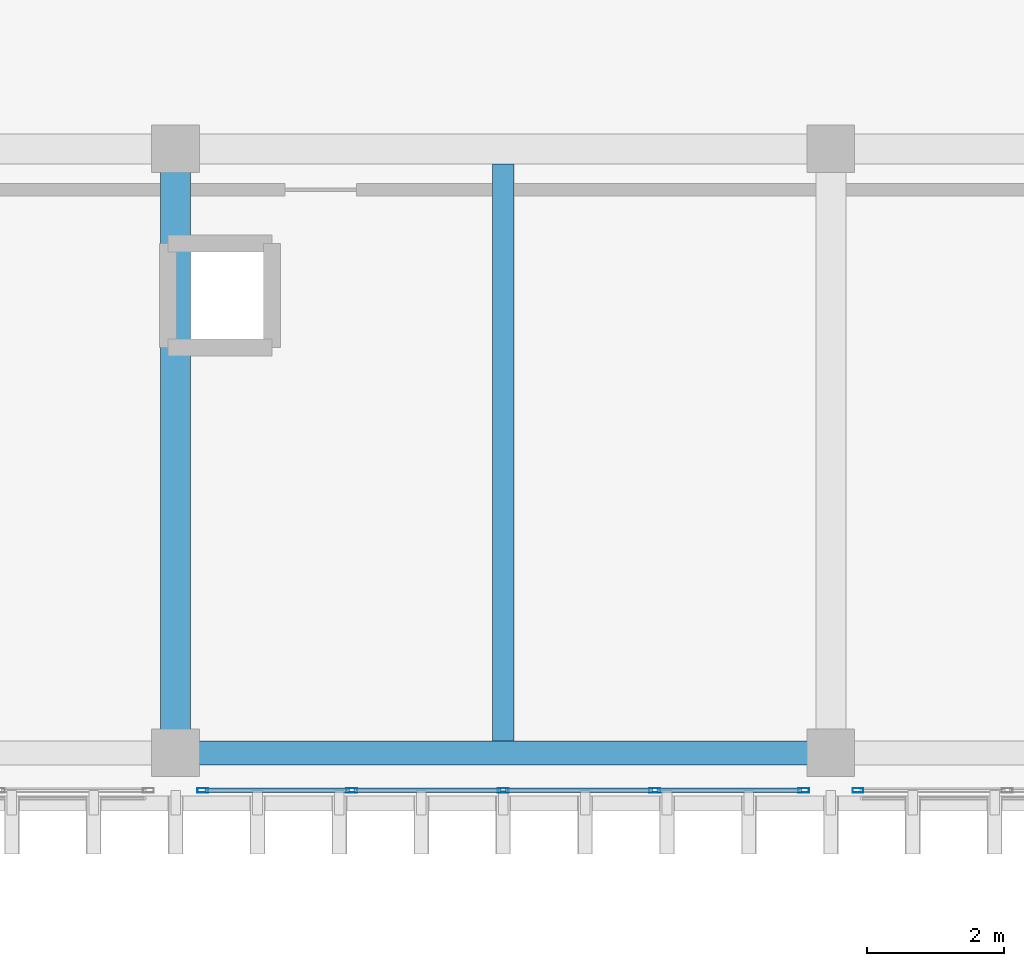
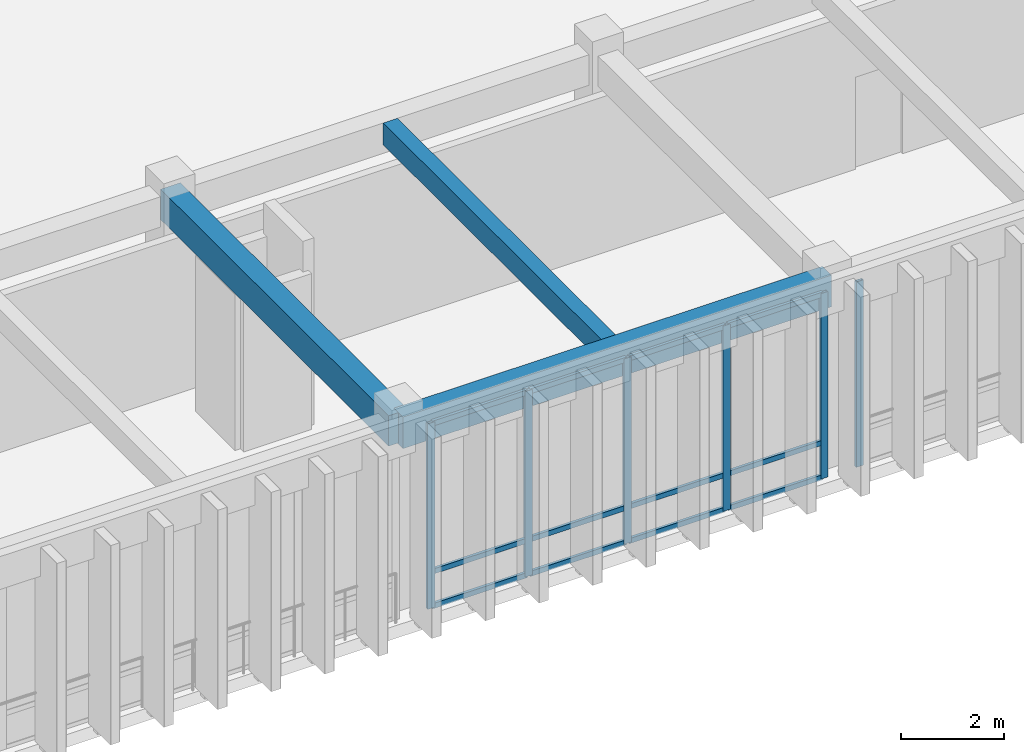
# One storey, part 14 of 133: 18 members, 3 beams, 2 elements without a shape of their own.
"""IFC4 building model written with IfcOpenShell, lengths in metres."""

from ifc_helpers import new_model, si_unit, direction, frame, origin, origin_2d, place, context, subcontext, project, spatial, rectangle, hollow_rectangle, extrude, material, layer, layer_set, material_profile, profile_set, type_object, element, aggregate, save


model = new_model("IFC4")

# Units and contexts
model_context = context("Model", 3, precision=1e-05, world=origin(), true_north=direction((0.0, 1.0)))
body_context = subcontext(model_context, "Body", "Model", "MODEL_VIEW")
ifc_project = project(units=[si_unit("LENGTHUNIT", "METRE"), si_unit("AREAUNIT", "SQUARE_METRE"), si_unit("VOLUMEUNIT", "CUBIC_METRE"), si_unit("PLANEANGLEUNIT", "RADIAN"), si_unit("MASSUNIT", "GRAM", prefix="KILO")], contexts=[model_context])

# Site, building, storey
site_placement = place(None, origin())
site = spatial("IfcSite", under=ifc_project, at=site_placement, CompositionType="ELEMENT")
building_placement = place(site_placement, origin())
building = spatial("IfcBuilding", under=site, at=building_placement, Name="Nakhvara Creek Congress Hotel", CompositionType="ELEMENT")
storey_placement = place(building_placement, frame((0.0, 0.0, 11.39990234375)))
storey = spatial("IfcBuildingStorey", under=building, at=storey_placement, Name="L02", CompositionType="ELEMENT", Elevation=11.39990234375)

# Beams
ifc_material_1 = material(Name="Concrete C40/50", Category="concrete")
ifc_material_profile_1 = material_profile(ifc_material_1, rectangle(XDim=0.320068359375, YDim=0.52001953125, at=origin_2d()), Name="RC-BM 320x520", Category="LoadBearing")
ifc_profile_set_1 = profile_set([ifc_material_profile_1], Name="Concrete C40/50")
beam_type_1 = type_object("IfcBeamType", Name="BM-RC-320X520", PredefinedType="JOIST", material=ifc_profile_set_1)
beam_1_placement = place(storey_placement, frame((100.800048828125, 0.925048828125, 4.16015625), z_axis=(0.0, 1.0, 0.0), x_axis=(-1.0, 0.0, 0.0)))
element("IfcBeam", 1, at=beam_1_placement, inside=storey, type_object=beam_type_1, Name="Secondary Joist BJ2-L02-1676", PredefinedType="JOIST", context=body_context, shape_type="SweptSolid", body=[
    extrude(rectangle(XDim=0.320068359375, YDim=0.52001953125, at=origin_2d()), origin(), (0.0, 0.0, 1.0), 8.454833984375),
])
ifc_material_profile_2 = material_profile(ifc_material_1, rectangle(XDim=0.43994140625, YDim=0.719970703125, at=origin_2d()), Name="RC-BM 440x720", Category="LoadBearing")
ifc_profile_set_2 = profile_set([ifc_material_profile_2], Name="Concrete C40/50")
beam_type_2 = type_object("IfcBeamType", Name="BM-RC-440X720", PredefinedType="BEAM", material=ifc_profile_set_2)
beam_2_placement = place(storey_placement, frame((96.0, 0.75, 4.06005859375), z_axis=(0.0, 1.0, 0.0), x_axis=(-1.0, 0.0, 0.0)))
element("IfcBeam", 2, at=beam_2_placement, inside=storey, type_object=beam_type_2, Name="Beam B12-L02-1479", PredefinedType="BEAM", context=body_context, shape_type="SweptSolid", body=[
    extrude(rectangle(XDim=0.43994140625, YDim=0.719970703125, at=origin_2d()), origin(), (0.0, 0.0, 1.0), 8.85009765625),
])
ifc_material_profile_3 = material_profile(ifc_material_1, rectangle(XDim=0.35009765625, YDim=0.75, at=origin_2d()), Name="RC-SPANDREL 350x750", Category="LoadBearing")
ifc_profile_set_3 = profile_set([ifc_material_profile_3], Name="Concrete C40/50")
beam_type_3 = type_object("IfcBeamType", Name="BM-SPN-350X750", PredefinedType="SPANDREL", material=ifc_profile_set_3)
beam_3_placement = place(storey_placement, frame((96.0, 0.75, 4.045166015625), z_axis=(1.0, 0.0, 0.0), x_axis=(0.0, 1.0, 0.0)))
element("IfcBeam", 3, at=beam_3_placement, inside=storey, type_object=beam_type_3, Name="Beam SP1-L02-1480", PredefinedType="SPANDREL", context=body_context, shape_type="SweptSolid", body=[
    extrude(rectangle(XDim=0.35009765625, YDim=0.75, at=origin_2d()), origin(), (0.0, 0.0, 1.0), 9.60009765625),
])

# Curtain wall, members
ifc_material_2 = material(Name="Bronze-anodised aluminium AW-6063-T6 and double-silver low-E glass", Category="aluminium")
ifc_layer = layer(ifc_material_2, 0.199951171875)
ifc_layer_set = layer_set([ifc_layer], Name="Bronze-anodised aluminium AW-6063-T6 and double-silver low-E glass")
curtain_wall_type = type_object("IfcCurtainWallType", Name="CW-SPA-STICK", PredefinedType="NOTDEFINED", material=ifc_layer_set)
curtain_wall_1_placement = place(storey_placement, origin())
curtain_wall_1 = element("IfcCurtainWall", 4, at=curtain_wall_1_placement, inside=storey, type_object=curtain_wall_type, Name="Curtain Wall CW094", PredefinedType="NOTDEFINED")
ifc_material_3 = material(Name="Bronze-anodised aluminium AW-6063-T6", Category="aluminium")
ifc_material_profile_4 = material_profile(ifc_material_3, hollow_rectangle(XDim=0.06494140625, YDim=0.159912109375, WallThickness=0.00390625, at=origin_2d()), Name="ALU-MULL 65x160x4", Category="LoadBearing")
ifc_profile_set_4 = profile_set([ifc_material_profile_4], Name="Bronze-anodised aluminium AW-6063-T6")
member_type_1 = type_object("IfcMemberType", Name="CW-MULL-160", PredefinedType="MULLION", material=ifc_profile_set_4)
member_1_placement = place(storey_placement, frame((105.202392578125, 0.199951171875, 0.0), z_axis=(0.0, 0.0, 1.0), x_axis=(0.0, -1.0, 0.0)))
member_1 = element("IfcMember", 5, at=member_1_placement, type_object=member_type_1, Name="CW094 mullion 1", PredefinedType="MULLION", context=body_context, shape_type="SweptSolid", body=[
    extrude(hollow_rectangle(XDim=0.06494140625, YDim=0.159912109375, WallThickness=0.00390625, at=origin_2d()), origin(), (0.0, 0.0, 1.0), 4.39013671875),
])
member_2_placement = place(storey_placement, frame((103.017578125, 0.199951171875, 0.0), z_axis=(0.0, 0.0, 1.0), x_axis=(0.0, -1.0, 0.0)))
member_2 = element("IfcMember", 6, at=member_2_placement, type_object=member_type_1, Name="CW094 mullion 2", PredefinedType="MULLION", context=body_context, shape_type="SweptSolid", body=[
    extrude(hollow_rectangle(XDim=0.06494140625, YDim=0.159912109375, WallThickness=0.00390625, at=origin_2d()), origin(), (0.0, 0.0, 1.0), 4.39013671875),
])
member_3_placement = place(storey_placement, frame((100.800048828125, 0.199951171875, 0.0), z_axis=(0.0, 0.0, 1.0), x_axis=(0.0, -1.0, 0.0)))
member_3 = element("IfcMember", 7, at=member_3_placement, type_object=member_type_1, Name="CW094 mullion 3", PredefinedType="MULLION", context=body_context, shape_type="SweptSolid", body=[
    extrude(hollow_rectangle(XDim=0.06494140625, YDim=0.159912109375, WallThickness=0.00390625, at=origin_2d()), origin(), (0.0, 0.0, 1.0), 4.39013671875),
])
member_4_placement = place(storey_placement, frame((98.58251953125, 0.199951171875, 0.0), z_axis=(0.0, 0.0, 1.0), x_axis=(0.0, -1.0, 0.0)))
member_4 = element("IfcMember", 8, at=member_4_placement, type_object=member_type_1, Name="CW094 mullion 4", PredefinedType="MULLION", context=body_context, shape_type="SweptSolid", body=[
    extrude(hollow_rectangle(XDim=0.06494140625, YDim=0.159912109375, WallThickness=0.00390625, at=origin_2d()), origin(), (0.0, 0.0, 1.0), 4.39013671875),
])
member_5_placement = place(storey_placement, frame((96.3974609375, 0.199951171875, 0.0), z_axis=(0.0, 0.0, 1.0), x_axis=(0.0, -1.0, 0.0)))
member_5 = element("IfcMember", 9, at=member_5_placement, type_object=member_type_1, Name="CW094 mullion 5", PredefinedType="MULLION", context=body_context, shape_type="SweptSolid", body=[
    extrude(hollow_rectangle(XDim=0.06494140625, YDim=0.159912109375, WallThickness=0.00390625, at=origin_2d()), origin(), (0.0, 0.0, 1.0), 4.39013671875),
])

# Curtain wall, member
curtain_wall_2_placement = place(storey_placement, origin())
curtain_wall_2 = element("IfcCurtainWall", 10, at=curtain_wall_2_placement, inside=storey, type_object=curtain_wall_type, Name="Curtain Wall CW095", PredefinedType="NOTDEFINED")
member_6_placement = place(storey_placement, frame((105.99755859375, 0.199951171875, 0.0), z_axis=(0.0, 0.0, 1.0), x_axis=(0.0, -1.0, 0.0)))
member_6 = element("IfcMember", 11, at=member_6_placement, type_object=member_type_1, Name="CW095 mullion 5", PredefinedType="MULLION", context=body_context, shape_type="SweptSolid", body=[
    extrude(hollow_rectangle(XDim=0.06494140625, YDim=0.159912109375, WallThickness=0.00390625, at=origin_2d()), origin(), (0.0, 0.0, 1.0), 4.39013671875),
])
aggregate(curtain_wall_2, [member_6])

# Member
ifc_material_profile_5 = material_profile(ifc_material_3, hollow_rectangle(XDim=0.06494140625, YDim=0.1201171875, WallThickness=0.00390625, at=origin_2d()), Name="ALU-TRAN 65x120x4", Category="LoadBearing")
ifc_profile_set_5 = profile_set([ifc_material_profile_5], Name="Bronze-anodised aluminium AW-6063-T6")
member_type_2 = type_object("IfcMemberType", Name="CW-TRAN-120", PredefinedType="USERDEFINED", material=ifc_profile_set_5)
member_7_placement = place(storey_placement, frame((105.169921875, 0.199951171875, 0.03271484375), z_axis=(-1.0, 0.0, 0.0), x_axis=(0.0, -1.0, 0.0)))
member_7 = element("IfcMember", 12, at=member_7_placement, type_object=member_type_2, Name="CW094 transom 1.1", ObjectType="TRANSOM", PredefinedType="USERDEFINED", context=body_context, shape_type="SweptSolid", body=[
    extrude(hollow_rectangle(XDim=0.06494140625, YDim=0.1201171875, WallThickness=0.00390625, at=origin_2d()), origin(), (0.0, 0.0, 1.0), 2.119873046875),
])

member_8_placement = place(storey_placement, frame((105.169921875, 0.199951171875, 0.85009765625), z_axis=(-1.0, 0.0, 0.0), x_axis=(0.0, -1.0, 0.0)))
member_8 = element("IfcMember", 13, at=member_8_placement, type_object=member_type_2, Name="CW094 transom 1.2", ObjectType="TRANSOM", PredefinedType="USERDEFINED", context=body_context, shape_type="SweptSolid", body=[
    extrude(hollow_rectangle(XDim=0.06494140625, YDim=0.1201171875, WallThickness=0.00390625, at=origin_2d()), origin(), (0.0, 0.0, 1.0), 2.119873046875),
])

member_9_placement = place(storey_placement, frame((105.169921875, 0.199951171875, 4.357666015625), z_axis=(-1.0, 0.0, 0.0), x_axis=(0.0, -1.0, 0.0)))
member_9 = element("IfcMember", 14, at=member_9_placement, type_object=member_type_2, Name="CW094 transom 1.3", ObjectType="TRANSOM", PredefinedType="USERDEFINED", context=body_context, shape_type="SweptSolid", body=[
    extrude(hollow_rectangle(XDim=0.06494140625, YDim=0.1201171875, WallThickness=0.00390625, at=origin_2d()), origin(), (0.0, 0.0, 1.0), 2.119873046875),
])

member_10_placement = place(storey_placement, frame((102.985107421875, 0.199951171875, 0.03271484375), z_axis=(-1.0, 0.0, 0.0), x_axis=(0.0, -1.0, 0.0)))
member_10 = element("IfcMember", 15, at=member_10_placement, type_object=member_type_2, Name="CW094 transom 2.1", ObjectType="TRANSOM", PredefinedType="USERDEFINED", context=body_context, shape_type="SweptSolid", body=[
    extrude(hollow_rectangle(XDim=0.06494140625, YDim=0.1201171875, WallThickness=0.00390625, at=origin_2d()), origin(), (0.0, 0.0, 1.0), 2.152587890625),
])

member_11_placement = place(storey_placement, frame((102.985107421875, 0.199951171875, 0.85009765625), z_axis=(-1.0, 0.0, 0.0), x_axis=(0.0, -1.0, 0.0)))
member_11 = element("IfcMember", 16, at=member_11_placement, type_object=member_type_2, Name="CW094 transom 2.2", ObjectType="TRANSOM", PredefinedType="USERDEFINED", context=body_context, shape_type="SweptSolid", body=[
    extrude(hollow_rectangle(XDim=0.06494140625, YDim=0.1201171875, WallThickness=0.00390625, at=origin_2d()), origin(), (0.0, 0.0, 1.0), 2.152587890625),
])

member_12_placement = place(storey_placement, frame((102.985107421875, 0.199951171875, 4.357666015625), z_axis=(-1.0, 0.0, 0.0), x_axis=(0.0, -1.0, 0.0)))
member_12 = element("IfcMember", 17, at=member_12_placement, type_object=member_type_2, Name="CW094 transom 2.3", ObjectType="TRANSOM", PredefinedType="USERDEFINED", context=body_context, shape_type="SweptSolid", body=[
    extrude(hollow_rectangle(XDim=0.06494140625, YDim=0.1201171875, WallThickness=0.00390625, at=origin_2d()), origin(), (0.0, 0.0, 1.0), 2.152587890625),
])

member_13_placement = place(storey_placement, frame((100.767578125, 0.199951171875, 0.03271484375), z_axis=(-1.0, 0.0, 0.0), x_axis=(0.0, -1.0, 0.0)))
member_13 = element("IfcMember", 18, at=member_13_placement, type_object=member_type_2, Name="CW094 transom 3.1", ObjectType="TRANSOM", PredefinedType="USERDEFINED", context=body_context, shape_type="SweptSolid", body=[
    extrude(hollow_rectangle(XDim=0.06494140625, YDim=0.1201171875, WallThickness=0.00390625, at=origin_2d()), origin(), (0.0, 0.0, 1.0), 2.152587890625),
])

member_14_placement = place(storey_placement, frame((100.767578125, 0.199951171875, 0.85009765625), z_axis=(-1.0, 0.0, 0.0), x_axis=(0.0, -1.0, 0.0)))
member_14 = element("IfcMember", 19, at=member_14_placement, type_object=member_type_2, Name="CW094 transom 3.2", ObjectType="TRANSOM", PredefinedType="USERDEFINED", context=body_context, shape_type="SweptSolid", body=[
    extrude(hollow_rectangle(XDim=0.06494140625, YDim=0.1201171875, WallThickness=0.00390625, at=origin_2d()), origin(), (0.0, 0.0, 1.0), 2.152587890625),
])

member_15_placement = place(storey_placement, frame((100.767578125, 0.199951171875, 4.357666015625), z_axis=(-1.0, 0.0, 0.0), x_axis=(0.0, -1.0, 0.0)))
member_15 = element("IfcMember", 20, at=member_15_placement, type_object=member_type_2, Name="CW094 transom 3.3", ObjectType="TRANSOM", PredefinedType="USERDEFINED", context=body_context, shape_type="SweptSolid", body=[
    extrude(hollow_rectangle(XDim=0.06494140625, YDim=0.1201171875, WallThickness=0.00390625, at=origin_2d()), origin(), (0.0, 0.0, 1.0), 2.152587890625),
])

member_16_placement = place(storey_placement, frame((98.550048828125, 0.199951171875, 0.03271484375), z_axis=(-1.0, 0.0, 0.0), x_axis=(0.0, -1.0, 0.0)))
member_16 = element("IfcMember", 21, at=member_16_placement, type_object=member_type_2, Name="CW094 transom 4.1", ObjectType="TRANSOM", PredefinedType="USERDEFINED", context=body_context, shape_type="SweptSolid", body=[
    extrude(hollow_rectangle(XDim=0.06494140625, YDim=0.1201171875, WallThickness=0.00390625, at=origin_2d()), origin(), (0.0, 0.0, 1.0), 2.1201171875),
])

member_17_placement = place(storey_placement, frame((98.550048828125, 0.199951171875, 0.85009765625), z_axis=(-1.0, 0.0, 0.0), x_axis=(0.0, -1.0, 0.0)))
member_17 = element("IfcMember", 22, at=member_17_placement, type_object=member_type_2, Name="CW094 transom 4.2", ObjectType="TRANSOM", PredefinedType="USERDEFINED", context=body_context, shape_type="SweptSolid", body=[
    extrude(hollow_rectangle(XDim=0.06494140625, YDim=0.1201171875, WallThickness=0.00390625, at=origin_2d()), origin(), (0.0, 0.0, 1.0), 2.1201171875),
])

member_18_placement = place(storey_placement, frame((98.550048828125, 0.199951171875, 4.357666015625), z_axis=(-1.0, 0.0, 0.0), x_axis=(0.0, -1.0, 0.0)))
member_18 = element("IfcMember", 23, at=member_18_placement, type_object=member_type_2, Name="CW094 transom 4.3", ObjectType="TRANSOM", PredefinedType="USERDEFINED", context=body_context, shape_type="SweptSolid", body=[
    extrude(hollow_rectangle(XDim=0.06494140625, YDim=0.1201171875, WallThickness=0.00390625, at=origin_2d()), origin(), (0.0, 0.0, 1.0), 2.1201171875),
])

aggregate(curtain_wall_1, [member_1, member_2, member_3, member_4, member_5, member_7, member_8, member_9, member_10, member_11, member_12, member_13, member_14, member_15, member_16, member_17, member_18])

save(model, "model.ifc")
